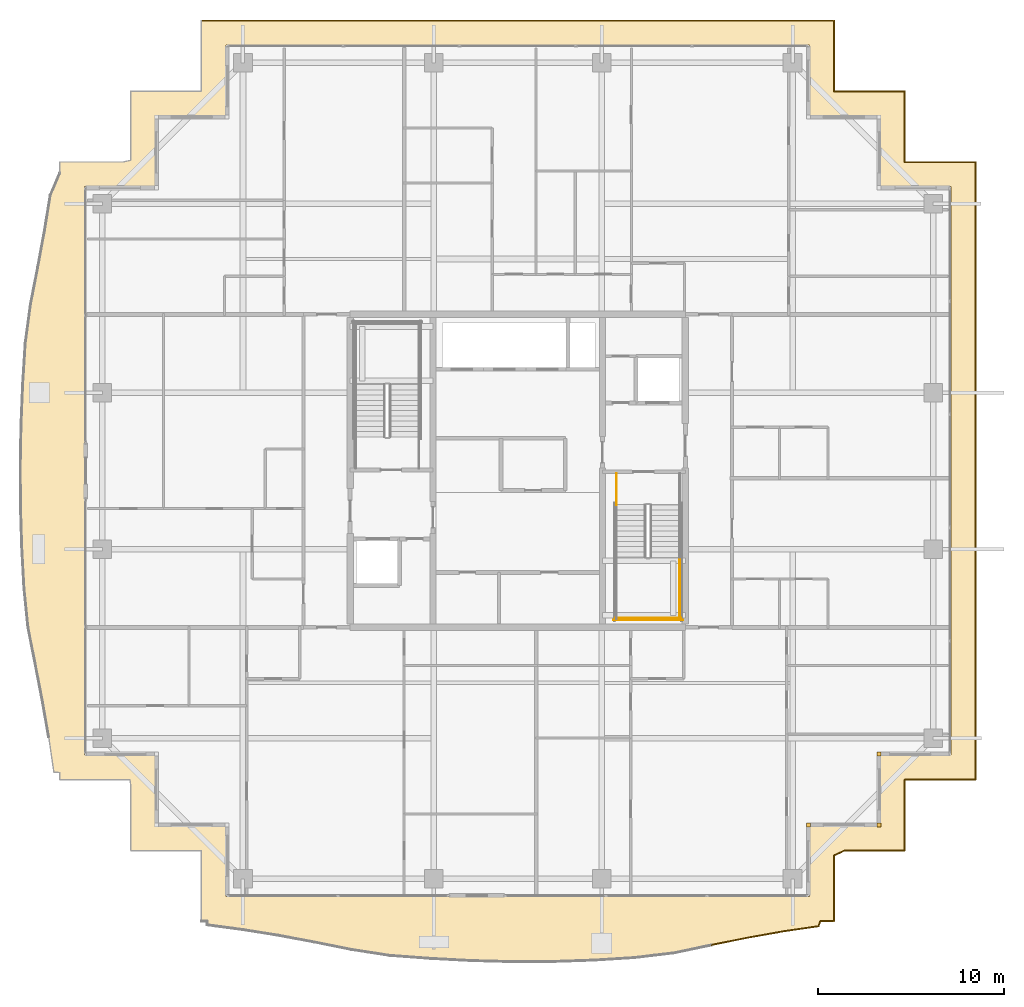
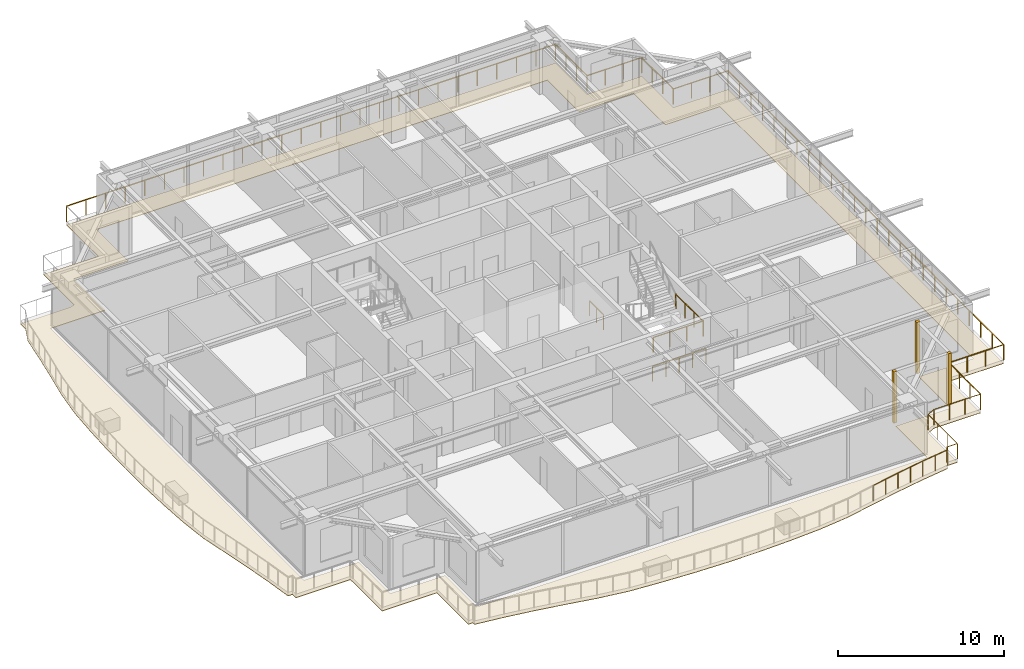
# One storey, part 36 of 38: 6 railings, 4 coverings.
"""IFC4 building model written with IfcOpenShell, lengths in metres."""

from ifc_helpers import new_model, si_unit, direction, frame, origin, origin_2d, place, context, subcontext, project, spatial, polyline, rectangle, circle, outline, extrude, source, transform, mapped, material, layer, layer_set, type_object, element, save


model = new_model("IFC4")

# Units and contexts
model_context = context("Model", 3, precision=1e-05, world=origin(), true_north=direction((0.0, 1.0)))
body_context = subcontext(model_context, "Body", "Model", "MODEL_VIEW")
ifc_project = project(units=[si_unit("LENGTHUNIT", "METRE"), si_unit("AREAUNIT", "SQUARE_METRE"), si_unit("VOLUMEUNIT", "CUBIC_METRE"), si_unit("PLANEANGLEUNIT", "RADIAN"), si_unit("MASSUNIT", "GRAM", prefix="KILO")], contexts=[model_context])

# Site, building, storey
site_placement = place(None, origin())
site = spatial("IfcSite", under=ifc_project, at=site_placement, CompositionType="ELEMENT")
building_placement = place(site_placement, origin())
building = spatial("IfcBuilding", under=site, at=building_placement, Name="Serunith Strait Residences", CompositionType="ELEMENT")
storey_placement = place(building_placement, frame((0.0, 0.0, 321.800048828125)))
storey = spatial("IfcBuildingStorey", under=building, at=storey_placement, Name="L80", CompositionType="ELEMENT", Elevation=321.800048828125)

# Covering
ifc_material_1 = material(Name="Golden Teak Exterior Timber Boarding", Category="wood")
ifc_layer_1 = layer(ifc_material_1, 0.034912109375, Name="Golden Teak Exterior Timber Boarding")
ifc_layer_set_1 = layer_set([ifc_layer_1], Name="Golden Teak Exterior Timber Boarding")
covering_type_1 = type_object("IfcCoveringType", Name="COV-TEAK-SOFFIT", PredefinedType="CEILING", material=ifc_layer_set_1)
covering_placement = place(storey_placement, frame((0.0, 0.0, -0.324951171875)))
element("IfcCovering", 1, at=covering_placement, inside=storey, type_object=covering_type_1, Name="L80 Golden-Teak Balcony Soffit Lining", PredefinedType="CEILING", context=body_context, shape_type="SweptSolid", body=[
    extrude(outline(polyline([(15.419921875, 1.02001953125), (15.419921875, 4.820068359375), (11.6201171875, 4.820068359375), (11.6201171875, 8.376220703125), (11.582275390625, 8.6201171875), (7.820068359375, 8.6201171875), (7.820068359375, 9.01123046875), (7.501220703125, 9.030029296875), (7.22265625, 10.92919921875), (6.889892578125, 12.84814453125), (6.512939453125, 14.80419921875), (6.115966796875, 16.81640625), (5.902099609375, 18.937255859375), (5.785400390625, 21.1083984375), (5.718994140625, 23.302490234375), (5.7060546875, 25.5068359375), (5.7470703125, 27.708251953125), (5.837646484375, 29.894287109375), (5.97119140625, 32.05419921875), (6.2529296875, 34.14111328125), (6.641357421875, 36.13623046875), (7.000732421875, 38.08203125), (7.312744140625, 39.99658203125), (7.820068359375, 41.181396484375), (7.820068359375, 41.780029296875), (11.231201171875, 41.780029296875), (11.6201171875, 41.877197265625), (11.6201171875, 45.580078125), (15.403076171875, 45.580078125), (15.419921875, 45.586181640625), (15.419921875, 49.3798828125), (49.3798828125, 49.3798828125), (49.3798828125, 45.580078125), (53.179931640625, 45.580078125), (53.179931640625, 41.780029296875), (56.97998046875, 41.780029296875), (56.97998046875, 8.6201171875), (53.179931640625, 8.6201171875), (53.179931640625, 4.820068359375), (49.950439453125, 4.820068359375), (49.3798828125, 4.5498046875), (49.3798828125, 1.02001953125), (48.64111328125, 1.02001953125), (48.553955078125, 0.75439453125), (46.659423828125, 0.4765625), (44.748046875, 0.1376953125), (42.801513671875, -0.254638671875), (40.798583984375, -0.6767578125), (38.684326171875, -0.930419921875), (36.509033203125, -1.066650390625), (34.306396484375, -1.14208984375), (32.091796875, -1.14990234375), (29.88232421875, -1.091064453125), (27.693115234375, -0.974853515625), (25.53515625, -0.814453125), (23.459228515625, -0.495361328125), (21.47265625, -0.093994140625), (19.532958984375, 0.267822265625), (17.621337890625, 0.5751953125), (15.72265625, 0.825439453125), (15.72412109375, 1.02001953125), (15.419921875, 1.02001953125)]), holes=[polyline([(48.054931640625, 2.344970703125), (48.054931640625, 6.14501953125), (51.85498046875, 6.14501953125), (51.85498046875, 9.945068359375), (55.655029296875, 9.945068359375), (55.655029296875, 40.455078125), (51.85498046875, 40.455078125), (51.85498046875, 44.2548828125), (48.054931640625, 44.2548828125), (48.054931640625, 48.054931640625), (16.7451171875, 48.054931640625), (16.7451171875, 44.2548828125), (12.945068359375, 44.2548828125), (12.945068359375, 40.455078125), (9.14501953125, 40.455078125), (9.14501953125, 9.945068359375), (12.945068359375, 9.945068359375), (12.945068359375, 6.14501953125), (16.7451171875, 6.14501953125), (16.7451171875, 2.344970703125), (48.054931640625, 2.344970703125)])]), origin(), (0.0, 0.0, 1.0), 0.034912109375),
])

# Railings
ifc_material_2 = material(Name="Stainless Steel & Laminated Glass Balustrade", Category="steel")
railing_type_1 = type_object("IfcRailingType", Name="RLG-BALC-1150", PredefinedType="BALUSTRADE", material=ifc_material_2)
railing_1_placement = place(storey_placement, frame((15.419921875, 49.3798828125, -0.050048828125)))
element("IfcRailing", 2, at=railing_1_placement, inside=storey, type_object=railing_type_1, Name="L80 Swirling Balcony Perimeter Balustrade 5", PredefinedType="BALUSTRADE", context=body_context, shape_type="SweptSolid", body=[
    extrude(circle(Radius=0.02392578125, at=origin_2d()), frame((0.001953125, 0.0, 1.1259765625), z_axis=(1.0, 0.0, 0.0), x_axis=(0.0, 1.0, 0.0)), (0.0, 0.0, 1.0), 33.9560546875),
    extrude(circle(Radius=0.02392578125, at=origin_2d()), frame((33.9599609375, -0.001953125, 1.1259765625), z_axis=(0.0, -1.0, 0.0), x_axis=(1.0, 0.0, 0.0)), (0.0, 0.0, 1.0), 3.7958984375),
    extrude(circle(Radius=0.02392578125, at=origin_2d()), frame((33.9619140625, -3.7998046875, 1.1259765625), z_axis=(1.0, 0.0, 0.0), x_axis=(0.0, 1.0, 0.0)), (0.0, 0.0, 1.0), 3.796142578125),
    extrude(circle(Radius=0.02392578125, at=origin_2d()), frame((37.760009765625, -3.8017578125, 1.1259765625), z_axis=(0.0, -1.0, 0.0), x_axis=(1.0, 0.0, 0.0)), (0.0, 0.0, 1.0), 3.796142578125),
    extrude(circle(Radius=0.02392578125, at=origin_2d()), frame((37.761962890625, -7.599853515625, 1.1259765625), z_axis=(1.0, 0.0, 0.0), x_axis=(0.0, 1.0, 0.0)), (0.0, 0.0, 1.0), 3.796142578125),
    extrude(circle(Radius=0.02392578125, at=origin_2d()), frame((41.56005859375, -7.601806640625, 1.1259765625), z_axis=(0.0, -1.0, 0.0), x_axis=(1.0, 0.0, 0.0)), (0.0, 0.0, 1.0), 33.156005859375),
    extrude(circle(Radius=0.02392578125, at=origin_2d()), frame((41.55810546875, -40.759765625, 1.1259765625), z_axis=(-1.0, 0.0, 0.0), x_axis=(0.0, -1.0, 0.0)), (0.0, 0.0, 1.0), 3.796142578125),
    extrude(circle(Radius=0.02392578125, at=origin_2d()), frame((37.760009765625, -40.76171875, 1.1259765625), z_axis=(0.0, -1.0, 0.0), x_axis=(1.0, 0.0, 0.0)), (0.0, 0.0, 1.0), 3.796142578125),
    extrude(circle(Radius=0.02099609375, at=origin_2d()), origin(), (0.0, 0.0, 1.0), 1.099853515625),
    extrude(circle(Radius=0.02099609375, at=origin_2d()), frame((1.3583984375, 0.0, 0.0)), (0.0, 0.0, 1.0), 1.099853515625),
    extrude(circle(Radius=0.02099609375, at=origin_2d()), frame((2.716796875, 0.0, 0.0)), (0.0, 0.0, 1.0), 1.099853515625),
    extrude(circle(Radius=0.02099609375, at=origin_2d()), frame((4.0751953125, 0.0, 0.0)), (0.0, 0.0, 1.0), 1.099853515625),
    extrude(circle(Radius=0.02099609375, at=origin_2d()), frame((5.43359375, 0.0, 0.0)), (0.0, 0.0, 1.0), 1.099853515625),
    extrude(circle(Radius=0.02099609375, at=origin_2d()), frame((6.7919921875, 0.0, 0.0)), (0.0, 0.0, 1.0), 1.099853515625),
    extrude(circle(Radius=0.02099609375, at=origin_2d()), frame((8.150390625, 0.0, 0.0)), (0.0, 0.0, 1.0), 1.099853515625),
    extrude(circle(Radius=0.02099609375, at=origin_2d()), frame((9.5087890625, 0.0, 0.0)), (0.0, 0.0, 1.0), 1.099853515625),
    extrude(circle(Radius=0.02099609375, at=origin_2d()), frame((10.8671875, 0.0, 0.0)), (0.0, 0.0, 1.0), 1.099853515625),
    extrude(circle(Radius=0.02099609375, at=origin_2d()), frame((12.2255859375, 0.0, 0.0)), (0.0, 0.0, 1.0), 1.099853515625),
    extrude(circle(Radius=0.02099609375, at=origin_2d()), frame((13.583984375, 0.0, 0.0)), (0.0, 0.0, 1.0), 1.099853515625),
    extrude(circle(Radius=0.02099609375, at=origin_2d()), frame((14.9423828125, 0.0, 0.0)), (0.0, 0.0, 1.0), 1.099853515625),
    extrude(circle(Radius=0.02099609375, at=origin_2d()), frame((16.30078125, 0.0, 0.0)), (0.0, 0.0, 1.0), 1.099853515625),
    extrude(circle(Radius=0.02099609375, at=origin_2d()), frame((17.6591796875, 0.0, 0.0)), (0.0, 0.0, 1.0), 1.099853515625),
    extrude(circle(Radius=0.02099609375, at=origin_2d()), frame((19.017578125, 0.0, 0.0)), (0.0, 0.0, 1.0), 1.099853515625),
    extrude(circle(Radius=0.02099609375, at=origin_2d()), frame((20.3759765625, 0.0, 0.0)), (0.0, 0.0, 1.0), 1.099853515625),
    extrude(circle(Radius=0.02099609375, at=origin_2d()), frame((21.734375, 0.0, 0.0)), (0.0, 0.0, 1.0), 1.099853515625),
    extrude(circle(Radius=0.02099609375, at=origin_2d()), frame((23.0927734375, 0.0, 0.0)), (0.0, 0.0, 1.0), 1.099853515625),
    extrude(circle(Radius=0.02099609375, at=origin_2d()), frame((24.451171875, 0.0, 0.0)), (0.0, 0.0, 1.0), 1.099853515625),
    extrude(circle(Radius=0.02099609375, at=origin_2d()), frame((25.8095703125, 0.0, 0.0)), (0.0, 0.0, 1.0), 1.099853515625),
    extrude(circle(Radius=0.02099609375, at=origin_2d()), frame((27.16796875, 0.0, 0.0)), (0.0, 0.0, 1.0), 1.099853515625),
    extrude(circle(Radius=0.02099609375, at=origin_2d()), frame((28.5263671875, 0.0, 0.0)), (0.0, 0.0, 1.0), 1.099853515625),
    extrude(circle(Radius=0.02099609375, at=origin_2d()), frame((29.884765625, 0.0, 0.0)), (0.0, 0.0, 1.0), 1.099853515625),
    extrude(circle(Radius=0.02099609375, at=origin_2d()), frame((31.2431640625, 0.0, 0.0)), (0.0, 0.0, 1.0), 1.099853515625),
    extrude(circle(Radius=0.02099609375, at=origin_2d()), frame((32.6015625, 0.0, 0.0)), (0.0, 0.0, 1.0), 1.099853515625),
    extrude(circle(Radius=0.02099609375, at=origin_2d()), frame((33.9599609375, 0.0, 0.0)), (0.0, 0.0, 1.0), 1.099853515625),
    extrude(circle(Radius=0.02099609375, at=origin_2d()), frame((33.9599609375, -1.2666015625, 0.0)), (0.0, 0.0, 1.0), 1.099853515625),
    extrude(circle(Radius=0.02099609375, at=origin_2d()), frame((33.9599609375, -2.533203125, 0.0)), (0.0, 0.0, 1.0), 1.099853515625),
    extrude(circle(Radius=0.02099609375, at=origin_2d()), frame((33.9599609375, -3.7998046875, 0.0)), (0.0, 0.0, 1.0), 1.099853515625),
    extrude(circle(Radius=0.02099609375, at=origin_2d()), frame((35.2265625, -3.7998046875, 0.0)), (0.0, 0.0, 1.0), 1.099853515625),
    extrude(circle(Radius=0.02099609375, at=origin_2d()), frame((36.493408203125, -3.7998046875, 0.0)), (0.0, 0.0, 1.0), 1.099853515625),
    extrude(circle(Radius=0.02099609375, at=origin_2d()), frame((37.760009765625, -3.7998046875, 0.0)), (0.0, 0.0, 1.0), 1.099853515625),
    extrude(circle(Radius=0.02099609375, at=origin_2d()), frame((37.760009765625, -5.06640625, 0.0)), (0.0, 0.0, 1.0), 1.099853515625),
    extrude(circle(Radius=0.02099609375, at=origin_2d()), frame((37.760009765625, -6.333251953125, 0.0)), (0.0, 0.0, 1.0), 1.099853515625),
    extrude(circle(Radius=0.02099609375, at=origin_2d()), frame((37.760009765625, -7.599853515625, 0.0)), (0.0, 0.0, 1.0), 1.099853515625),
    extrude(circle(Radius=0.02099609375, at=origin_2d()), frame((39.026611328125, -7.599853515625, 0.0)), (0.0, 0.0, 1.0), 1.099853515625),
    extrude(circle(Radius=0.02099609375, at=origin_2d()), frame((40.29345703125, -7.599853515625, 0.0)), (0.0, 0.0, 1.0), 1.099853515625),
    extrude(circle(Radius=0.02099609375, at=origin_2d()), frame((41.56005859375, -7.599853515625, 0.0)), (0.0, 0.0, 1.0), 1.099853515625),
    extrude(circle(Radius=0.02099609375, at=origin_2d()), frame((41.56005859375, -8.9814453125, 0.0)), (0.0, 0.0, 1.0), 1.099853515625),
    extrude(circle(Radius=0.02099609375, at=origin_2d()), frame((41.56005859375, -10.36328125, 0.0)), (0.0, 0.0, 1.0), 1.099853515625),
    extrude(circle(Radius=0.02099609375, at=origin_2d()), frame((41.56005859375, -11.744873046875, 0.0)), (0.0, 0.0, 1.0), 1.099853515625),
    extrude(circle(Radius=0.02099609375, at=origin_2d()), frame((41.56005859375, -13.12646484375, 0.0)), (0.0, 0.0, 1.0), 1.099853515625),
    extrude(circle(Radius=0.02099609375, at=origin_2d()), frame((41.56005859375, -14.508056640625, 0.0)), (0.0, 0.0, 1.0), 1.099853515625),
    extrude(circle(Radius=0.02099609375, at=origin_2d()), frame((41.56005859375, -15.889892578125, 0.0)), (0.0, 0.0, 1.0), 1.099853515625),
    extrude(circle(Radius=0.02099609375, at=origin_2d()), frame((41.56005859375, -17.271484375, 0.0)), (0.0, 0.0, 1.0), 1.099853515625),
    extrude(circle(Radius=0.02099609375, at=origin_2d()), frame((41.56005859375, -18.653076171875, 0.0)), (0.0, 0.0, 1.0), 1.099853515625),
    extrude(circle(Radius=0.02099609375, at=origin_2d()), frame((41.56005859375, -20.034912109375, 0.0)), (0.0, 0.0, 1.0), 1.099853515625),
    extrude(circle(Radius=0.02099609375, at=origin_2d()), frame((41.56005859375, -21.41650390625, 0.0)), (0.0, 0.0, 1.0), 1.099853515625),
    extrude(circle(Radius=0.02099609375, at=origin_2d()), frame((41.56005859375, -22.798095703125, 0.0)), (0.0, 0.0, 1.0), 1.099853515625),
    extrude(circle(Radius=0.02099609375, at=origin_2d()), frame((41.56005859375, -24.1796875, 0.0)), (0.0, 0.0, 1.0), 1.099853515625),
    extrude(circle(Radius=0.02099609375, at=origin_2d()), frame((41.56005859375, -25.5615234375, 0.0)), (0.0, 0.0, 1.0), 1.099853515625),
    extrude(circle(Radius=0.02099609375, at=origin_2d()), frame((41.56005859375, -26.943115234375, 0.0)), (0.0, 0.0, 1.0), 1.099853515625),
    extrude(circle(Radius=0.02099609375, at=origin_2d()), frame((41.56005859375, -28.32470703125, 0.0)), (0.0, 0.0, 1.0), 1.099853515625),
    extrude(circle(Radius=0.02099609375, at=origin_2d()), frame((41.56005859375, -29.70654296875, 0.0)), (0.0, 0.0, 1.0), 1.099853515625),
    extrude(circle(Radius=0.02099609375, at=origin_2d()), frame((41.56005859375, -31.088134765625, 0.0)), (0.0, 0.0, 1.0), 1.099853515625),
    extrude(circle(Radius=0.02099609375, at=origin_2d()), frame((41.56005859375, -32.4697265625, 0.0)), (0.0, 0.0, 1.0), 1.099853515625),
    extrude(circle(Radius=0.02099609375, at=origin_2d()), frame((41.56005859375, -33.8515625, 0.0)), (0.0, 0.0, 1.0), 1.099853515625),
    extrude(circle(Radius=0.02099609375, at=origin_2d()), frame((41.56005859375, -35.233154296875, 0.0)), (0.0, 0.0, 1.0), 1.099853515625),
    extrude(circle(Radius=0.02099609375, at=origin_2d()), frame((41.56005859375, -36.61474609375, 0.0)), (0.0, 0.0, 1.0), 1.099853515625),
    extrude(circle(Radius=0.02099609375, at=origin_2d()), frame((41.56005859375, -37.996337890625, 0.0)), (0.0, 0.0, 1.0), 1.099853515625),
    extrude(circle(Radius=0.02099609375, at=origin_2d()), frame((41.56005859375, -39.378173828125, 0.0)), (0.0, 0.0, 1.0), 1.099853515625),
    extrude(circle(Radius=0.02099609375, at=origin_2d()), frame((41.56005859375, -40.759765625, 0.0)), (0.0, 0.0, 1.0), 1.099853515625),
    extrude(circle(Radius=0.02099609375, at=origin_2d()), frame((40.29345703125, -40.759765625, 0.0)), (0.0, 0.0, 1.0), 1.099853515625),
    extrude(circle(Radius=0.02099609375, at=origin_2d()), frame((39.026611328125, -40.759765625, 0.0)), (0.0, 0.0, 1.0), 1.099853515625),
    extrude(circle(Radius=0.02099609375, at=origin_2d()), frame((37.760009765625, -40.759765625, 0.0)), (0.0, 0.0, 1.0), 1.099853515625),
    extrude(circle(Radius=0.02099609375, at=origin_2d()), frame((37.760009765625, -42.0263671875, 0.0)), (0.0, 0.0, 1.0), 1.099853515625),
    extrude(circle(Radius=0.02099609375, at=origin_2d()), frame((37.760009765625, -43.293212890625, 0.0)), (0.0, 0.0, 1.0), 1.099853515625),
    extrude(circle(Radius=0.02099609375, at=origin_2d()), frame((37.760009765625, -44.559814453125, 0.0)), (0.0, 0.0, 1.0), 1.099853515625),
])
railing_2_placement = place(storey_placement, frame((53.179931640625, 4.820068359375, -0.050048828125)))
element("IfcRailing", 3, at=railing_2_placement, inside=storey, type_object=railing_type_1, Name="L80 Swirling Balcony Perimeter Balustrade 6", PredefinedType="BALUSTRADE", context=body_context, shape_type="SweptSolid", body=[
    extrude(circle(Radius=0.02392578125, at=origin_2d()), frame((-0.001953125, 0.0, 1.1259765625), z_axis=(-1.0, 0.0, 0.0), x_axis=(0.0, -1.0, 0.0)), (0.0, 0.0, 1.0), 3.2255859375),
    extrude(circle(Radius=0.02392578125, at=origin_2d()), frame((-3.231201171875, -0.0009765625, 1.1259765625), z_axis=(-0.903737838894, -0.428086344739, 0.0), x_axis=(0.428086344739, -0.903737838894, 0.0)), (0.0, 0.0, 1.0), 0.62744140625),
    extrude(circle(Radius=0.02392578125, at=origin_2d()), frame((-3.800048828125, -0.272216796875, 1.1259765625), z_axis=(0.0, -1.0, 0.0), x_axis=(1.0, 0.0, 0.0)), (0.0, 0.0, 1.0), 3.52587890625),
    extrude(circle(Radius=0.02392578125, at=origin_2d()), frame((-3.802001953125, -3.800048828125, 1.1259765625), z_axis=(-1.0, 0.0, 0.0), x_axis=(0.0, -1.0, 0.0)), (0.0, 0.0, 1.0), 0.73486328125),
    extrude(circle(Radius=0.02392578125, at=origin_2d()), frame((-4.53955078125, -3.802001953125, 1.1259765625), z_axis=(-0.311770417897, -0.950157464068, 0.0), x_axis=(0.950157464068, -0.311770417897, 0.0)), (0.0, 0.0, 1.0), 0.275634765625),
    extrude(circle(Radius=0.02392578125, at=origin_2d()), frame((-4.6279296875, -4.06591796875, 1.1259765625), z_axis=(-0.989417355015, -0.145097545104, 0.0), x_axis=(0.145097545104, -0.989417355015, 0.0)), (0.0, 0.0, 1.0), 1.910888671875),
    extrude(circle(Radius=0.02392578125, at=origin_2d()), frame((-6.5224609375, -4.34375, 1.1259765625), z_axis=(-0.984645240066, -0.174567325739, 0.0), x_axis=(0.174567325739, -0.984645240066, 0.0)), (0.0, 0.0, 1.0), 1.937255859375),
    extrude(circle(Radius=0.02392578125, at=origin_2d()), frame((-8.433837890625, -4.682861328125, 1.1259765625), z_axis=(-0.980286389636, -0.19758186732, 0.0), x_axis=(0.19758186732, -0.980286389636, 0.0)), (0.0, 0.0, 1.0), 1.981689453125),
    extrude(circle(Radius=0.02099609375, at=origin_2d()), origin(), (0.0, 0.0, 1.0), 1.099853515625),
    extrude(circle(Radius=0.02099609375, at=origin_2d()), frame((-1.076416015625, 0.0, 0.0)), (0.0, 0.0, 1.0), 1.099853515625),
    extrude(circle(Radius=0.02099609375, at=origin_2d()), frame((-2.153076171875, 0.0, 0.0)), (0.0, 0.0, 1.0), 1.099853515625),
    extrude(circle(Radius=0.02099609375, at=origin_2d()), frame((-3.2294921875, 0.0, 0.0)), (0.0, 0.0, 1.0), 1.099853515625),
    extrude(circle(Radius=0.02099609375, at=origin_2d()), frame((-3.800048828125, -0.270263671875, 0.0)), (0.0, 0.0, 1.0), 1.099853515625),
    extrude(circle(Radius=0.02099609375, at=origin_2d()), frame((-3.800048828125, -1.44677734375, 0.0)), (0.0, 0.0, 1.0), 1.099853515625),
    extrude(circle(Radius=0.02099609375, at=origin_2d()), frame((-3.800048828125, -2.62353515625, 0.0)), (0.0, 0.0, 1.0), 1.099853515625),
    extrude(circle(Radius=0.02099609375, at=origin_2d()), frame((-3.800048828125, -3.800048828125, 0.0)), (0.0, 0.0, 1.0), 1.099853515625),
    extrude(circle(Radius=0.02099609375, at=origin_2d()), frame((-4.538818359375, -3.800048828125, 0.0)), (0.0, 0.0, 1.0), 1.099853515625),
    extrude(circle(Radius=0.02099609375, at=origin_2d()), frame((-4.6259765625, -4.065673828125, 0.0)), (0.0, 0.0, 1.0), 1.099853515625),
    extrude(circle(Radius=0.02099609375, at=origin_2d()), frame((-5.5732421875, -4.20458984375, 0.0)), (0.0, 0.0, 1.0), 1.099853515625),
    extrude(circle(Radius=0.02099609375, at=origin_2d()), frame((-6.5205078125, -4.343505859375, 0.0)), (0.0, 0.0, 1.0), 1.099853515625),
    extrude(circle(Radius=0.02099609375, at=origin_2d()), frame((-7.47607421875, -4.512939453125, 0.0)), (0.0, 0.0, 1.0), 1.099853515625),
    extrude(circle(Radius=0.02099609375, at=origin_2d()), frame((-8.431884765625, -4.682373046875, 0.0)), (0.0, 0.0, 1.0), 1.099853515625),
    extrude(circle(Radius=0.02099609375, at=origin_2d()), frame((-9.4052734375, -4.87841796875, 0.0)), (0.0, 0.0, 1.0), 1.099853515625),
    extrude(circle(Radius=0.02099609375, at=origin_2d()), frame((-10.37841796875, -5.07470703125, 0.0)), (0.0, 0.0, 1.0), 1.099853515625),
])
ifc_material_3 = material(Name="Brushed stainless steel 316L", Category="steel")
railing_type_2 = type_object("IfcRailingType", Name="RLG-STAIR-GUARD", PredefinedType="BALUSTRADE", material=ifc_material_3)
railing_3_placement = place(storey_placement, frame((41.10009765625, 20.570068359375, 2.02490234375)))
element("IfcRailing", 4, at=railing_3_placement, inside=storey, type_object=railing_type_2, Name="L80 ST-2 stair guard 4", PredefinedType="BALUSTRADE", context=body_context, shape_type="SweptSolid", body=[
    extrude(circle(Radius=0.02392578125, at=origin_2d()), frame((0.0, -0.001953125, 1.076171875), z_axis=(0.0, -1.0, 0.0), x_axis=(1.0, 0.0, 0.0)), (0.0, 0.0, 1.0), 3.316162109375),
    extrude(circle(Radius=0.02099609375, at=origin_2d()), origin(), (0.0, 0.0, 1.0), 1.050048828125),
    extrude(circle(Radius=0.02099609375, at=origin_2d()), frame((0.0, -1.106689453125, 0.0)), (0.0, 0.0, 1.0), 1.050048828125),
    extrude(circle(Radius=0.02099609375, at=origin_2d()), frame((0.0, -2.21337890625, 0.0)), (0.0, 0.0, 1.0), 1.050048828125),
    extrude(circle(Radius=0.02099609375, at=origin_2d()), frame((0.0, -3.320068359375, 0.0)), (0.0, 0.0, 1.0), 1.050048828125),
])
railing_4_placement = place(storey_placement, frame((37.64990234375, 17.300048828125, 2.02490234375)))
element("IfcRailing", 5, at=railing_4_placement, inside=storey, type_object=railing_type_2, Name="L80 ST-2 stair guard 5", PredefinedType="BALUSTRADE", context=body_context, shape_type="SweptSolid", body=[
    extrude(circle(Radius=0.02392578125, at=origin_2d()), frame((0.001953125, 0.0, 1.076171875), z_axis=(1.0, 0.0, 0.0), x_axis=(0.0, 1.0, 0.0)), (0.0, 0.0, 1.0), 3.49609375),
    extrude(circle(Radius=0.02099609375, at=origin_2d()), origin(), (0.0, 0.0, 1.0), 1.050048828125),
    extrude(circle(Radius=0.02099609375, at=origin_2d()), frame((1.166748046875, 0.0, 0.0)), (0.0, 0.0, 1.0), 1.050048828125),
    extrude(circle(Radius=0.02099609375, at=origin_2d()), frame((2.333251953125, 0.0, 0.0)), (0.0, 0.0, 1.0), 1.050048828125),
    extrude(circle(Radius=0.02099609375, at=origin_2d()), frame((3.5, 0.0, 0.0)), (0.0, 0.0, 1.0), 1.050048828125),
])
railing_5_placement = place(storey_placement, frame((37.699951171875, 25.050048828125, 0.0)))
element("IfcRailing", 6, at=railing_5_placement, inside=storey, type_object=railing_type_2, Name="L80 ST-2 stair guard 8", PredefinedType="BALUSTRADE", context=body_context, shape_type="SweptSolid", body=[
    extrude(circle(Radius=0.02392578125, at=origin_2d()), frame((0.0, -0.001953125, 1.076171875), z_axis=(0.0, -1.0, 0.0), x_axis=(1.0, 0.0, 0.0)), (0.0, 0.0, 1.0), 1.676025390625),
    extrude(circle(Radius=0.02099609375, at=origin_2d()), origin(), (0.0, 0.0, 1.0), 1.050048828125),
    extrude(circle(Radius=0.02099609375, at=origin_2d()), frame((0.0, -0.83984375, 0.0)), (0.0, 0.0, 1.0), 1.050048828125),
    extrude(circle(Radius=0.02099609375, at=origin_2d()), frame((0.0, -1.679931640625, 0.0)), (0.0, 0.0, 1.0), 1.050048828125),
])
railing_6_placement = place(storey_placement, frame((37.550048828125, 17.199951171875, 0.0)))
element("IfcRailing", 7, at=railing_6_placement, inside=storey, type_object=railing_type_2, Name="L80 ST-2 stair guard 12", PredefinedType="BALUSTRADE", context=body_context, shape_type="SweptSolid", body=[
    extrude(circle(Radius=0.02392578125, at=origin_2d()), frame((0.001953125, 0.0, 1.076171875), z_axis=(1.0, 0.0, 0.0), x_axis=(0.0, 1.0, 0.0)), (0.0, 0.0, 1.0), 3.696044921875),
    extrude(circle(Radius=0.02099609375, at=origin_2d()), origin(), (0.0, 0.0, 1.0), 1.050048828125),
    extrude(circle(Radius=0.02099609375, at=origin_2d()), frame((0.925048828125, 0.0, 0.0)), (0.0, 0.0, 1.0), 1.050048828125),
    extrude(circle(Radius=0.02099609375, at=origin_2d()), frame((1.85009765625, 0.0, 0.0)), (0.0, 0.0, 1.0), 1.050048828125),
    extrude(circle(Radius=0.02099609375, at=origin_2d()), frame((2.77490234375, 0.0, 0.0)), (0.0, 0.0, 1.0), 1.050048828125),
    extrude(circle(Radius=0.02099609375, at=origin_2d()), frame((3.699951171875, 0.0, 0.0)), (0.0, 0.0, 1.0), 1.050048828125),
])

# Coverings
ifc_material_4 = material(Name="Pale-Champagne Anodised Aluminium", Category="aluminium")
ifc_layer_2 = layer(ifc_material_4, 0.219970703125, Name="Pale-Champagne Anodised Aluminium")
ifc_layer_set_2 = layer_set([ifc_layer_2], Name="Pale-Champagne Anodised Aluminium")
covering_type_2 = type_object("IfcCoveringType", Name="COV-CORN-TRIM", PredefinedType="CLADDING", material=ifc_layer_set_2)
shared_shape = source(origin(), body_context, "Body", "SweptSolid", [
    extrude(rectangle(XDim=0.221923828125, YDim=0.221923828125, at=origin_2d()), origin(), (0.0, 0.0, 1.0), 3.77490234375),
])
for number, where, z_axis, x_axis, name in (
    (8, (48.0, 6.199951171875, 0.0), (0.0, 0.0, 1.0), (1.0, 0.0, 0.0), "L80 Girih Serrated Corner Trim Post 02"),
    (9, (51.800048828125, 6.199951171875, 0.0), (0.0, 0.0, 1.0), (1.0, 0.0, 0.0), "L80 Girih Serrated Corner Trim Post 03"),
    (10, (51.800048828125, 10.0, 0.0), (0.0, 0.0, 1.0), (1.0, 0.0, 0.0), "L80 Girih Serrated Corner Trim Post 04"),
):
    element("IfcCovering", number, at=place(storey_placement, frame(where, z_axis=z_axis, x_axis=x_axis)), inside=storey, type_object=covering_type_2, Name=name, PredefinedType="CLADDING", context=body_context, shape_type="MappedRepresentation", body=[
        mapped(shared_shape, transform((0.0, 0.0, 0.0), scale=1.0)),
    ])

save(model, "model.ifc")
